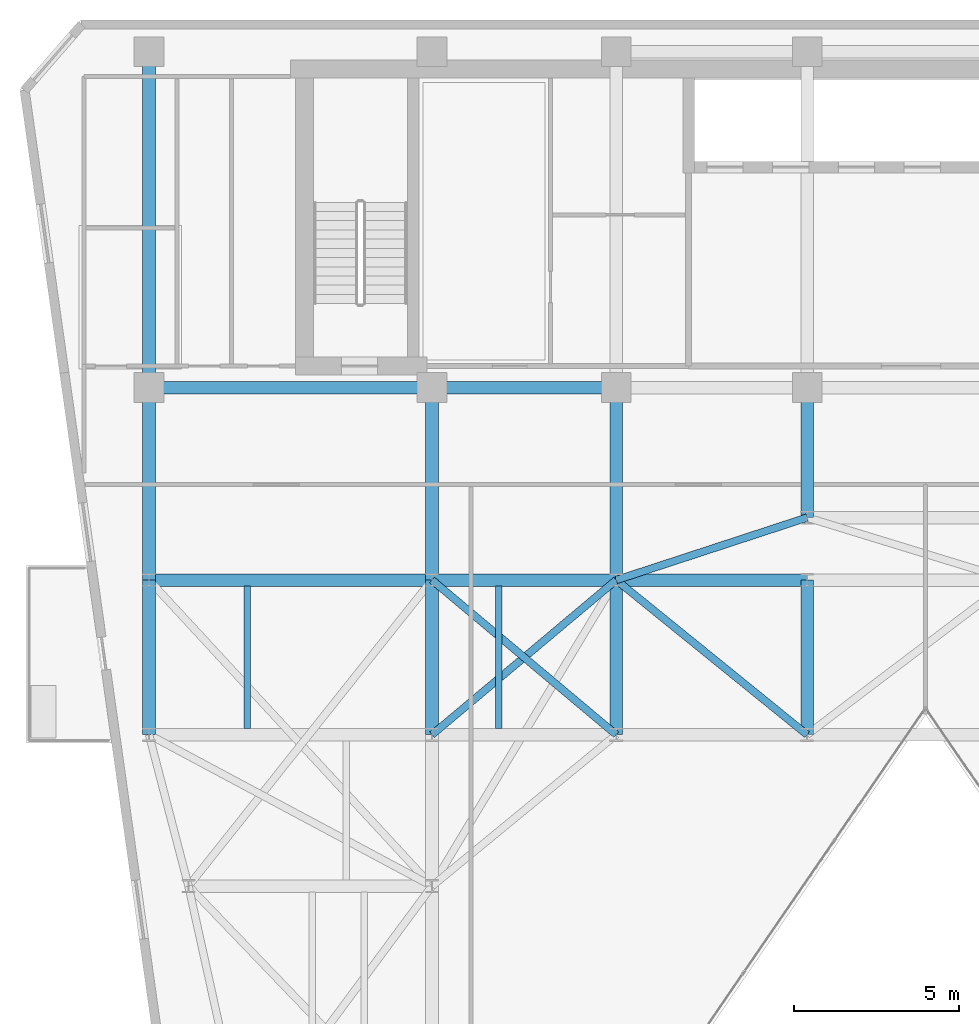
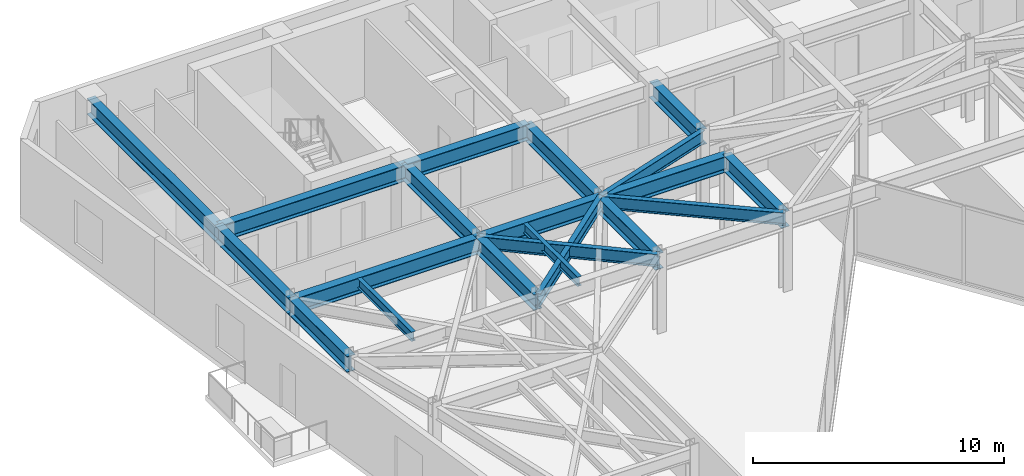
# One storey, part 7 of 21: 20 beams.
"""IFC4 building model written with IfcOpenShell, lengths in metres."""

import ifcopenshell
import ifcopenshell.guid

model = None  # the IFC model being written
_history = None  # IfcOwnerHistory: only IFC2X3 demands one
_inside = {}  # id of a spatial element -> (the spatial element, [elements in it])
_under = {}  # id of a project, library or spatial element -> (it, [spatial elements below it])
_declared = {}  # id of a project -> (the project, [libraries it declares])
_typed = {}  # id of a type object -> (the type object, [elements of that type])
_made_of = {}  # id of a material, layer set ... -> (it, [elements and type objects made of it])


def new_model(schema):
    """Start an empty IFC model of exactly this schema.

    Asked for "IFC4X3", IfcOpenShell would pick the latest addendum, in which some entities
    have other attributes; the version numbers below select the first issue.
    IFC2X3 requires an IfcOwnerHistory on every rooted entity: one is made here for all.
    """
    global model, _history
    if schema == "IFC4X3":
        model = ifcopenshell.file(schema_version=(4, 3, 0, 0))
    else:
        model = ifcopenshell.file(schema=schema)
    _inside.clear()
    _under.clear()
    _declared.clear()
    _typed.clear()
    _made_of.clear()
    _history = None
    if model.schema == "IFC2X3":
        org = make("IfcOrganization", Name="unknown")
        user = make(
            "IfcPersonAndOrganization",
            ThePerson=make("IfcPerson", FamilyName="unknown"),
            TheOrganization=org,
        )
        app = make(
            "IfcApplication",
            ApplicationDeveloper=org,
            Version="unknown",
            ApplicationFullName="unknown",
            ApplicationIdentifier="unknown",
        )
        _history = make(
            "IfcOwnerHistory",
            OwningUser=user,
            OwningApplication=app,
            ChangeAction="ADDED",
            CreationDate=0,
        )
    return model


def make(cls, **values):
    """One entity of the class cls with the attributes given. An attribute that is None is left unset."""
    return model.create_entity(
        cls, **{name: value for name, value in values.items() if value is not None}
    )


def rooted(cls, **values):
    """An entity with a GlobalId (a new one), such as an element, a storey or a relation."""
    return make(cls, GlobalId=ifcopenshell.guid.new(), OwnerHistory=_history, **values)


def si_unit(unit_type, name, prefix=None):
    """IfcSIUnit, for example si_unit("LENGTHUNIT", "METRE", prefix="MILLI")."""
    return make("IfcSIUnit", UnitType=unit_type, Prefix=prefix, Name=name)


def assignment(units):
    """IfcUnitAssignment: the units of a project."""
    return None if units is None else make("IfcUnitAssignment", Units=units)


def point(xyz):
    """IfcCartesianPoint."""
    return None if xyz is None else make("IfcCartesianPoint", Coordinates=xyz)


def direction(xyz):
    """IfcDirection."""
    return None if xyz is None else make("IfcDirection", DirectionRatios=xyz)


def frame(location, z_axis=None, x_axis=None):
    """IfcAxis2Placement3D, a coordinate frame: its origin and axes. An axis left out is left unset."""
    return make(
        "IfcAxis2Placement3D",
        Location=point(location),
        Axis=direction(z_axis),
        RefDirection=direction(x_axis),
    )


def frame_2d(location, x_axis=None):
    """IfcAxis2Placement2D, a coordinate frame in the plane: its origin and x axis."""
    return make(
        "IfcAxis2Placement2D", Location=point(location), RefDirection=direction(x_axis)
    )


def origin():
    """The frame at (0, 0, 0) with its axes left unset."""
    return frame((0.0, 0.0, 0.0))


def origin_2d():
    """The frame at (0, 0) in the plane with its x axis left unset."""
    return frame_2d((0.0, 0.0))


def place(relative_to, where):
    """IfcLocalPlacement: puts the frame where relative to a parent placement (None: the world)."""
    return make(
        "IfcLocalPlacement", PlacementRelTo=relative_to, RelativePlacement=where
    )


def context(
    kind, dimensions, precision=None, world=None, true_north=None, identifier=None
):
    """IfcGeometricRepresentationContext, for example the 3D "Model" context."""
    return make(
        "IfcGeometricRepresentationContext",
        ContextIdentifier=identifier,
        ContextType=kind,
        CoordinateSpaceDimension=dimensions,
        Precision=precision,
        WorldCoordinateSystem=world,
        TrueNorth=true_north,
    )


def subcontext(parent, identifier, kind, view, scale=None):
    """IfcGeometricRepresentationSubContext, for example "Body" below "Model"."""
    return make(
        "IfcGeometricRepresentationSubContext",
        ContextIdentifier=identifier,
        ContextType=kind,
        ParentContext=parent,
        TargetScale=scale,
        TargetView=view,
    )


def project(units=None, contexts=None):
    """IfcProject with its units and contexts."""
    return rooted(
        "IfcProject",
        Name="project",
        RepresentationContexts=contexts,
        UnitsInContext=assignment(units),
    )


def spatial(cls, under=None, at=None, **own):
    """A site, building, storey or space (cls), placed at a placement, below another one or the project."""
    s = rooted(cls, ObjectPlacement=at, **own)
    if under is not None:
        _under.setdefault(under.id(), (under, []))[1].append(s)
    return s


def profile(cls, at=None, kind="AREA", **sizes):
    """A parametric profile (cls). Its sizes go by their IFC names, for example OverallWidth=200.0."""
    return make(cls, ProfileType=kind, Position=at, **sizes)


def i_section(**sizes):
    """IfcIShapeProfileDef."""
    return profile("IfcIShapeProfileDef", **sizes)


def extrude(swept, where, along, depth):
    """IfcExtrudedAreaSolid: the profile swept, set in the frame where, extruded along a direction by depth."""
    return make(
        "IfcExtrudedAreaSolid",
        SweptArea=swept,
        Position=where,
        ExtrudedDirection=direction(along),
        Depth=depth,
    )


def shape(context_of_items, identifier, shape_type, items):
    """IfcShapeRepresentation: the items that make up one representation, for example the "Body"."""
    return make(
        "IfcShapeRepresentation",
        ContextOfItems=context_of_items,
        RepresentationIdentifier=identifier,
        RepresentationType=shape_type,
        Items=items,
    )


def material(Name=None, Category=None):
    """IfcMaterial."""
    return make("IfcMaterial", Name=Name, Category=Category)


def material_profile(
    of_material, cross_section, Name=None, Category=None, Priority=None
):
    """IfcMaterialProfile: a cross section and its material."""
    return make(
        "IfcMaterialProfile",
        Name=Name,
        Material=of_material,
        Profile=cross_section,
        Priority=Priority,
        Category=Category,
    )


def profile_set(profiles, Name=None, composite=None):
    """IfcMaterialProfileSet."""
    return make(
        "IfcMaterialProfileSet",
        Name=Name,
        MaterialProfiles=profiles,
        CompositeProfile=composite,
    )


def made_of(thing, what):
    """Note that an element or type object is made of a material, layer set ...; save() writes the relation."""
    if what is not None:
        _made_of.setdefault(what.id(), (what, []))[1].append(thing)
    return thing


def type_object(cls, material=None, **own):
    """A type object (cls), such as IfcWallType, which elements share."""
    return made_of(rooted(cls, **own), material)


def element(
    cls,
    number,
    at=None,
    inside=None,
    cuts=None,
    type_object=None,
    material=None,
    context=None,
    identifier="Body",
    shape_type=None,
    held_by="IfcProductDefinitionShape",
    body=None,
    shapes=None,
    **own,
):
    """One element of the class cls, such as IfcWall. Its Tag is "e" and its number.

    at: its placement. inside: the storey or other place that contains it. cuts: it is an
    opening in that element (IfcRelVoidsElement). A single representation is given by context,
    identifier, shape_type and body (its items); several are given by shapes. held_by: the class
    of the entity that holds the representations. save() writes the other relations.
    """
    e = rooted(cls, Tag="e%d" % number, ObjectPlacement=at, **own)
    if body is not None:
        shapes = [shape(context, identifier, shape_type, body)]
    if shapes is not None:
        e.Representation = make(held_by, Representations=shapes)
    if inside is not None:
        _inside.setdefault(inside.id(), (inside, []))[1].append(e)
    if cuts is not None:
        rooted(
            "IfcRelVoidsElement", RelatingBuildingElement=cuts, RelatedOpeningElement=e
        )
    if type_object is not None:
        _typed.setdefault(type_object.id(), (type_object, []))[1].append(e)
    return made_of(e, material)


def aggregate(whole, parts):
    """IfcRelAggregates: a whole, such as a stair, and the parts it consists of."""
    return rooted("IfcRelAggregates", RelatingObject=whole, RelatedObjects=parts)


def save(model, path):
    """Write the relations noted so far, then the file.

    IfcRelAggregates (storeys below a building ...), IfcRelContainedInSpatialStructure (elements
    in a storey), IfcRelDefinesByType, IfcRelAssociatesMaterial and IfcRelDeclares: one each for
    every whole, place, type object, material and project.
    """
    for whole, parts in _under.values():
        aggregate(whole, parts)
    for where, things in _inside.values():
        rooted(
            "IfcRelContainedInSpatialStructure",
            RelatedElements=things,
            RelatingStructure=where,
        )
    for kind, things in _typed.values():
        rooted("IfcRelDefinesByType", RelatedObjects=things, RelatingType=kind)
    for what, things in _made_of.values():
        rooted("IfcRelAssociatesMaterial", RelatedObjects=things, RelatingMaterial=what)
    for by, libraries in _declared.values():
        rooted("IfcRelDeclares", RelatingContext=by, RelatedDefinitions=libraries)
    model.write(path)


model = new_model("IFC4")

# Units and contexts
model_context = context("Model", 3, precision=1e-05, world=origin(), true_north=direction((0.0, 1.0)))
body_context = subcontext(model_context, "Body", "Model", "MODEL_VIEW")
ifc_project = project(units=[si_unit("LENGTHUNIT", "METRE"), si_unit("AREAUNIT", "SQUARE_METRE"), si_unit("VOLUMEUNIT", "CUBIC_METRE"), si_unit("PLANEANGLEUNIT", "RADIAN"), si_unit("MASSUNIT", "GRAM", prefix="KILO")], contexts=[model_context])

# Site, building, storey
site_placement = place(None, origin())
site = spatial("IfcSite", under=ifc_project, at=site_placement, CompositionType="ELEMENT")
building_placement = place(site_placement, origin())
building = spatial("IfcBuilding", under=site, at=building_placement, Name="Kravanh Interchange Tower", CompositionType="ELEMENT")
storey_placement = place(building_placement, frame((0.0, 0.0, 200.5)))
storey = spatial("IfcBuildingStorey", under=building, at=storey_placement, Name="L48", CompositionType="ELEMENT", Elevation=200.5)

# Beams
ifc_material_1 = material(Name="Structural Steel S355", Category="steel")
ifc_material_profile_1 = material_profile(ifc_material_1, i_section(OverallWidth=0.381103515625, OverallDepth=0.77294921875, WebThickness=0.0166015625, FlangeThickness=0.027099609375, FilletRadius=0.02490234375, at=origin_2d()), Name="W30X173")
ifc_profile_set_1 = profile_set([ifc_material_profile_1], Name="Structural Steel S355")
beam_type_1 = type_object("IfcBeamType", Name="Floor Beam W30X173 Structural Steel S355", PredefinedType="BEAM", material=ifc_profile_set_1)
beam_1_placement = place(storey_placement, frame((38.60009765625, 37.35009765625, 3.368408203125), z_axis=(0.0, -1.0, 0.0), x_axis=(1.0, 0.0, 0.0)))
element("IfcBeam", 1, at=beam_1_placement, inside=storey, type_object=beam_type_1, Name="L48 Primary Floor Girder 16", PredefinedType="BEAM", context=body_context, shape_type="SweptSolid", body=[
    extrude(i_section(OverallWidth=0.381103515625, OverallDepth=0.77294921875, WebThickness=0.0166015625, FlangeThickness=0.027099609375, FilletRadius=0.02490234375, at=origin_2d()), origin(), (0.0, 0.0, 1.0), 3.9501953125),
])
beam_2_placement = place(storey_placement, frame((32.800048828125, 37.35009765625, 3.368408203125), z_axis=(-1.0, 0.0, 0.0), x_axis=(0.0, -1.0, 0.0)))
element("IfcBeam", 2, at=beam_2_placement, inside=storey, type_object=beam_type_1, Name="L48 Primary Floor Girder 20", PredefinedType="BEAM", context=body_context, shape_type="SweptSolid", body=[
    extrude(i_section(OverallWidth=0.381103515625, OverallDepth=0.77294921875, WebThickness=0.0166015625, FlangeThickness=0.027099609375, FilletRadius=0.02490234375, at=origin_2d()), origin(), (0.0, 0.0, 1.0), 5.60009765625),
])
for number, where, z_axis, x_axis, name in (
    (3, (32.800048828125, 37.35009765625, 3.368408203125), (0.0, -1.0, 0.0), (1.0, 0.0, 0.0), "L48 Primary Floor Girder 21"),
    (4, (27.199951171875, 37.35009765625, 3.368408203125), (0.0, -1.0, 0.0), (1.0, 0.0, 0.0), "L48 Primary Floor Girder 24"),
):
    element("IfcBeam", number, at=place(storey_placement, frame(where, z_axis=z_axis, x_axis=x_axis)), inside=storey, type_object=beam_type_1, Name=name, PredefinedType="BEAM", context=body_context, shape_type="SweptSolid", body=[
        extrude(i_section(OverallWidth=0.381103515625, OverallDepth=0.77294921875, WebThickness=0.0166015625, FlangeThickness=0.027099609375, FilletRadius=0.02490234375, at=origin_2d()), origin(), (0.0, 0.0, 1.0), 5.85009765625),
    ])
beam_3_placement = place(storey_placement, frame((27.199951171875, 37.35009765625, 3.368408203125), z_axis=(-1.0, 0.0, 0.0), x_axis=(0.0, -1.0, 0.0)))
element("IfcBeam", 5, at=beam_3_placement, inside=storey, type_object=beam_type_1, Name="L48 Primary Floor Girder 25", PredefinedType="BEAM", context=body_context, shape_type="SweptSolid", body=[
    extrude(i_section(OverallWidth=0.381103515625, OverallDepth=0.77294921875, WebThickness=0.0166015625, FlangeThickness=0.027099609375, FilletRadius=0.02490234375, at=origin_2d()), origin(), (0.0, 0.0, 1.0), 8.599853515625),
])
beam_4_placement = place(storey_placement, frame((18.60009765625, 37.35009765625, 3.368408203125), z_axis=(0.0, -1.0, 0.0), x_axis=(1.0, 0.0, 0.0)))
element("IfcBeam", 6, at=beam_4_placement, inside=storey, type_object=beam_type_1, Name="L48 Primary Floor Girder 28", PredefinedType="BEAM", context=body_context, shape_type="SweptSolid", body=[
    extrude(i_section(OverallWidth=0.381103515625, OverallDepth=0.77294921875, WebThickness=0.0166015625, FlangeThickness=0.027099609375, FilletRadius=0.02490234375, at=origin_2d()), origin(), (0.0, 0.0, 1.0), 5.85009765625),
])
beam_5_placement = place(storey_placement, frame((18.60009765625, 37.35009765625, 3.368408203125), z_axis=(0.0, 1.0, 0.0), x_axis=(-1.0, 0.0, 0.0)))
element("IfcBeam", 7, at=beam_5_placement, inside=storey, type_object=beam_type_1, Name="L48 Primary Floor Girder 29", PredefinedType="BEAM", context=body_context, shape_type="SweptSolid", body=[
    extrude(i_section(OverallWidth=0.381103515625, OverallDepth=0.77294921875, WebThickness=0.0166015625, FlangeThickness=0.027099609375, FilletRadius=0.02490234375, at=origin_2d()), origin(), (0.0, 0.0, 1.0), 10.199951171875),
])
for number, where, z_axis, x_axis, name in (
    (8, (18.60009765625, 26.800048828125, 3.368408203125), (0.0, 1.0, 0.0), (-1.0, 0.0, 0.0), "L48 Primary Floor Girder 33"),
    (9, (27.199951171875, 26.800048828125, 3.368408203125), (0.0, 1.0, 0.0), (-1.0, 0.0, 0.0), "L48 Primary Floor Girder 38"),
    (10, (32.800048828125, 26.800048828125, 3.368408203125), (0.0, 1.0, 0.0), (-1.0, 0.0, 0.0), "L48 Primary Floor Girder 41"),
    (11, (38.60009765625, 26.800048828125, 3.368408203125), (0.0, 1.0, 0.0), (-1.0, 0.0, 0.0), "L48 Primary Floor Girder 45"),
):
    element("IfcBeam", number, at=place(storey_placement, frame(where, z_axis=z_axis, x_axis=x_axis)), inside=storey, type_object=beam_type_1, Name=name, PredefinedType="BEAM", context=body_context, shape_type="SweptSolid", body=[
        extrude(i_section(OverallWidth=0.381103515625, OverallDepth=0.77294921875, WebThickness=0.0166015625, FlangeThickness=0.027099609375, FilletRadius=0.02490234375, at=origin_2d()), origin(), (0.0, 0.0, 1.0), 4.699951171875),
    ])
beam_6_placement = place(storey_placement, frame((18.60009765625, 31.5, 3.368408203125), z_axis=(1.0, 0.0, 0.0), x_axis=(0.0, 1.0, 0.0)))
element("IfcBeam", 12, at=beam_6_placement, inside=storey, type_object=beam_type_1, Name="L48 Primary Floor Girder 61", PredefinedType="BEAM", context=body_context, shape_type="SweptSolid", body=[
    extrude(i_section(OverallWidth=0.381103515625, OverallDepth=0.77294921875, WebThickness=0.0166015625, FlangeThickness=0.027099609375, FilletRadius=0.02490234375, at=origin_2d()), origin(), (0.0, 0.0, 1.0), 8.599853515625),
])
beam_7_placement = place(storey_placement, frame((27.199951171875, 31.5, 3.368408203125), z_axis=(1.0, 0.0, 0.0), x_axis=(0.0, 1.0, 0.0)))
element("IfcBeam", 13, at=beam_7_placement, inside=storey, type_object=beam_type_1, Name="L48 Primary Floor Girder 64", PredefinedType="BEAM", context=body_context, shape_type="SweptSolid", body=[
    extrude(i_section(OverallWidth=0.381103515625, OverallDepth=0.77294921875, WebThickness=0.0166015625, FlangeThickness=0.027099609375, FilletRadius=0.02490234375, at=origin_2d()), origin(), (0.0, 0.0, 1.0), 5.60009765625),
])
beam_8_placement = place(storey_placement, frame((32.800048828125, 31.5, 3.368408203125), z_axis=(1.0, 0.0, 0.0), x_axis=(0.0, 1.0, 0.0)))
element("IfcBeam", 14, at=beam_8_placement, inside=storey, type_object=beam_type_1, Name="L48 Primary Floor Girder 67", PredefinedType="BEAM", context=body_context, shape_type="SweptSolid", body=[
    extrude(i_section(OverallWidth=0.381103515625, OverallDepth=0.77294921875, WebThickness=0.0166015625, FlangeThickness=0.027099609375, FilletRadius=0.02490234375, at=origin_2d()), origin(), (0.0, 0.0, 1.0), 5.800048828125),
])
ifc_material_2 = material(Name="Structural Steel S355", Category="steel")
ifc_material_profile_2 = material_profile(ifc_material_2, i_section(OverallWidth=0.18994140625, OverallDepth=0.45703125, WebThickness=0.009033203125, FlangeThickness=0.014404296875, FilletRadius=0.01806640625, at=origin_2d()), Name="W18X50")
ifc_profile_set_2 = profile_set([ifc_material_profile_2], Name="Structural Steel S355")
beam_type_2 = type_object("IfcBeamType", Name="Floor Joist W18X50 Structural Steel S355", PredefinedType="JOIST", material=ifc_profile_set_2)
for number, where, z_axis, x_axis, name in (
    (15, (21.5859375, 26.985595703125, 3.526611328125), (0.0, 1.0, 0.0), (-1.0, 0.0, 0.0), "L48 Secondary Floor Joist 9"),
    (16, (29.22607421875, 26.985595703125, 3.526611328125), (0.0, 1.0, 0.0), (-1.0, 0.0, 0.0), "L48 Secondary Floor Joist 11"),
):
    element("IfcBeam", number, at=place(storey_placement, frame(where, z_axis=z_axis, x_axis=x_axis)), inside=storey, type_object=beam_type_2, Name=name, PredefinedType="JOIST", context=body_context, shape_type="SweptSolid", body=[
        extrude(i_section(OverallWidth=0.18994140625, OverallDepth=0.45703125, WebThickness=0.009033203125, FlangeThickness=0.014404296875, FilletRadius=0.01806640625, at=origin_2d()), origin(), (0.0, 0.0, 1.0), 4.328857421875),
    ])
ifc_material_3 = material(Name="Structural Steel S355", Category="steel")
ifc_material_profile_3 = material_profile(ifc_material_3, i_section(OverallWidth=0.22802734375, OverallDepth=0.60791015625, WebThickness=0.01123046875, FlangeThickness=0.017333984375, FilletRadius=0.02197265625, at=origin_2d()), Name="W24X76")
ifc_profile_set_3 = profile_set([ifc_material_profile_3], Name="Structural Steel S355")
beam_type_3 = type_object("IfcBeamType", Name="Floor Spandrel W24X76 Structural Steel S355", PredefinedType="SPANDREL", material=ifc_profile_set_3)
for number, where, z_axis, x_axis, name in (
    (17, (27.199951171875, 26.800048828125, 3.450927734375), (0.765983062929, 0.642860752657, 0.0), (-0.642860752657, 0.765983062929, 0.0), "L48 Perimeter Spandrel 40"),
    (18, (32.800048828125, 26.800048828125, 3.450927734375), (-0.765983062929, 0.642860752657, 0.0), (-0.642860752657, -0.765983062929, 0.0), "L48 Perimeter Spandrel 44"),
):
    element("IfcBeam", number, at=place(storey_placement, frame(where, z_axis=z_axis, x_axis=x_axis)), inside=storey, type_object=beam_type_3, Name=name, PredefinedType="SPANDREL", context=body_context, shape_type="SweptSolid", body=[
        extrude(i_section(OverallWidth=0.22802734375, OverallDepth=0.60791015625, WebThickness=0.01123046875, FlangeThickness=0.017333984375, FilletRadius=0.02197265625, at=origin_2d()), origin(), (0.0, 0.0, 1.0), 7.31103515625),
    ])
beam_9_placement = place(storey_placement, frame((38.60009765625, 26.800048828125, 3.450927734375), z_axis=(-0.776938619557, 0.629576350764, 0.0), x_axis=(-0.629576350764, -0.776938619557, 0.0)))
element("IfcBeam", 19, at=beam_9_placement, inside=storey, type_object=beam_type_3, Name="L48 Perimeter Spandrel 46", PredefinedType="SPANDREL", context=body_context, shape_type="SweptSolid", body=[
    extrude(i_section(OverallWidth=0.22802734375, OverallDepth=0.60791015625, WebThickness=0.01123046875, FlangeThickness=0.017333984375, FilletRadius=0.02197265625, at=origin_2d()), origin(), (0.0, 0.0, 1.0), 7.46533203125),
])
beam_10_placement = place(storey_placement, frame((32.800048828125, 31.5, 3.450927734375), z_axis=(0.950314536578, 0.31129131303, 0.0), x_axis=(-0.31129131303, 0.950314536578, 0.0)))
element("IfcBeam", 20, at=beam_10_placement, inside=storey, type_object=beam_type_3, Name="L48 Perimeter Spandrel 68", PredefinedType="SPANDREL", context=body_context, shape_type="SweptSolid", body=[
    extrude(i_section(OverallWidth=0.22802734375, OverallDepth=0.60791015625, WebThickness=0.01123046875, FlangeThickness=0.017333984375, FilletRadius=0.02197265625, at=origin_2d()), origin(), (0.0, 0.0, 1.0), 6.103271484375),
])

save(model, "model.ifc")
